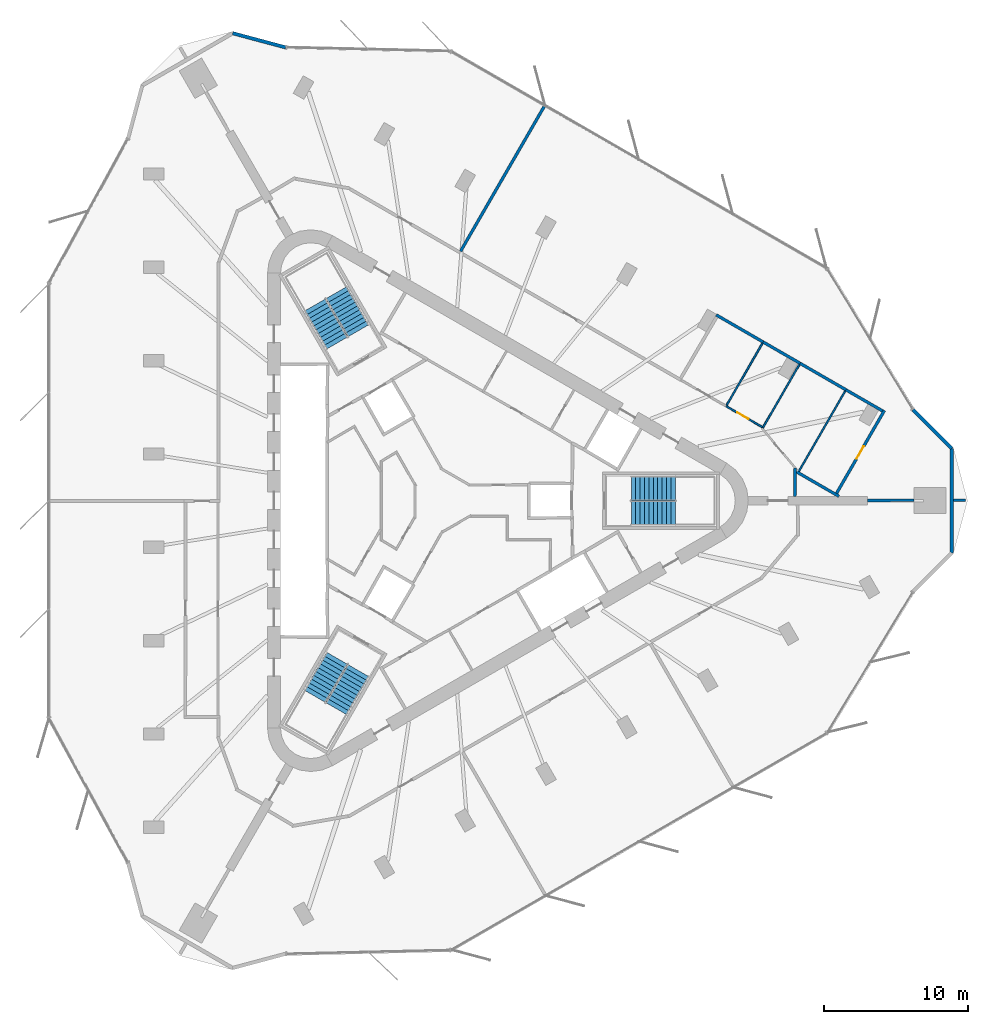
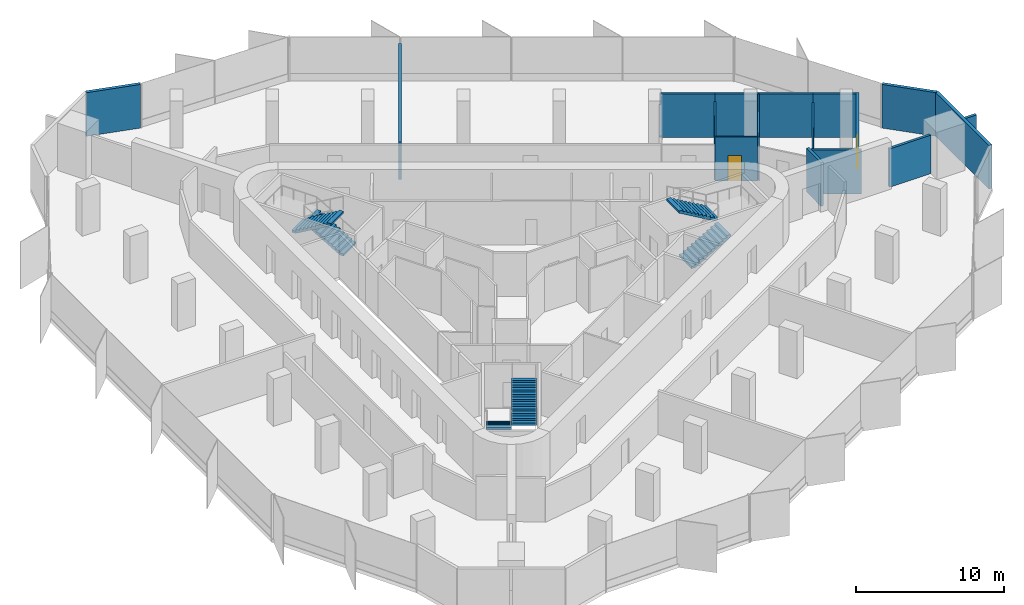
# One storey, part 11 of 12: 17 walls, 6 stair flights, 2 doors, 2 openings, 3 elements without a shape of their own.
"""IFC4 building model written with IfcOpenShell, lengths in metres."""

from ifc_helpers import new_model, si_unit, direction, frame, frame_2d, origin, place, context, subcontext, project, spatial, polyline, rectangle, outline, extrude, material, layer, layer_set, type_object, element, fill, aggregate, save


model = new_model("IFC4")

# Units and contexts
model_context = context("Model", 3, precision=1e-05, world=origin(), true_north=direction((0.0, 1.0)))
body_context = subcontext(model_context, "Body", "Model", "MODEL_VIEW")
ifc_project = project(units=[si_unit("LENGTHUNIT", "METRE"), si_unit("AREAUNIT", "SQUARE_METRE"), si_unit("VOLUMEUNIT", "CUBIC_METRE"), si_unit("PLANEANGLEUNIT", "RADIAN"), si_unit("MASSUNIT", "GRAM", prefix="KILO")], contexts=[model_context])

# Site, building, storey
site_placement = place(None, origin())
site = spatial("IfcSite", under=ifc_project, at=site_placement, CompositionType="ELEMENT")
building_placement = place(site_placement, origin())
building = spatial("IfcBuilding", under=site, at=building_placement, Name="Tanit Gate Tower", CompositionType="ELEMENT")
storey_placement = place(building_placement, frame((0.0, 0.0, 333.800048828125)))
storey = spatial("IfcBuildingStorey", under=building, at=storey_placement, Name="L75", CompositionType="ELEMENT", Elevation=333.800048828125)

# Walls
ifc_material_1 = material(Name="Concrete C30/37 with bronze anodised aluminium cladding", Category="concrete")
ifc_layer_1 = layer(ifc_material_1, 0.239990234375)
ifc_layer_set_1 = layer_set([ifc_layer_1], Name="Facade wall bronze clad 240")
wall_type_1 = type_object("IfcWallType", Name="Facade wall bronze clad 240", PredefinedType="SOLIDWALL", material=ifc_layer_set_1)
wall_1_placement = place(storey_placement, frame((-10.842529296875, 31.392578125, 0.0), z_axis=(0.0, 0.0, 1.0), x_axis=(-0.965919344782, 0.258843233206, 0.0)))
element("IfcWall", 1, at=wall_1_placement, inside=storey, type_object=wall_type_1, Name="Bronze-clad facade wall L75 NW.arc1", PredefinedType="SOLIDWALL", context=body_context, shape_type="SweptSolid", body=[
    extrude(rectangle(XDim=3.79638671875, YDim=0.239990234375, at=frame_2d((1.898193359375, 0.0))), origin(), (0.0, 0.0, 1.0), 3.599853515625),
])
wall_2_placement = place(storey_placement, frame((35.29248046875, -3.6220703125, 0.0), z_axis=(0.0, 0.0, 1.0), x_axis=(0.0, 1.0, 0.0)))
element("IfcWall", 2, at=wall_2_placement, inside=storey, type_object=wall_type_1, Name="Bronze-clad facade wall L75 E.arc2", PredefinedType="SOLIDWALL", context=body_context, shape_type="SweptSolid", body=[
    extrude(rectangle(XDim=7.244140625, YDim=0.239990234375, at=frame_2d((3.6220703125, 0.0))), origin(), (0.0, 0.0, 1.0), 3.599853515625),
])
wall_3_placement = place(storey_placement, frame((35.29248046875, 3.6220703125, 0.0), z_axis=(0.0, 0.0, 1.0), x_axis=(-0.707106781187, 0.707106781187, 0.0)))
element("IfcWall", 3, at=wall_3_placement, inside=storey, type_object=wall_type_1, Name="Bronze-clad facade wall L75 E.arc3", PredefinedType="SOLIDWALL", context=body_context, shape_type="SweptSolid", body=[
    extrude(rectangle(XDim=3.796142578125, YDim=0.239990234375, at=frame_2d((1.89794921875, 0.0))), origin(), (0.0, 0.0, 1.0), 3.599853515625),
])
ifc_material_2 = material(Name="Fire-rated gypsum board partition")
ifc_layer_2 = layer(ifc_material_2, 0.199951171875)
ifc_layer_set_2 = layer_set([ifc_layer_2], Name="INT-WALL-COMPARTMENT")
wall_type_2 = type_object("IfcWallType", Name="INT-WALL-COMPARTMENT", PredefinedType="PARTITIONING", material=ifc_layer_set_2)
wall_4_placement = place(storey_placement, frame((24.420654296875, 0.300048828125, 0.0), z_axis=(0.0, 0.0, 1.0), x_axis=(0.014331902383, 0.999897293013, 0.0)))
element("IfcWall", 4, at=wall_4_placement, inside=storey, type_object=wall_type_2, Name="Wall Compartment W098", PredefinedType="PARTITIONING", context=body_context, shape_type="SweptSolid", body=[
    extrude(rectangle(XDim=1.97607421875, YDim=0.199951171875, at=frame_2d((0.988037109375, 0.0))), origin(), (0.0, 0.0, 1.0), 3.599853515625),
])
wall_5_placement = place(storey_placement, frame((35.412353515625, 0.030029296875, 0.0), z_axis=(0.0, 0.0, 1.0), x_axis=(1.0, 0.0, 0.0)))
element("IfcWall", 5, at=wall_5_placement, inside=storey, type_object=wall_type_2, Name="Wall Compartment W116", PredefinedType="PARTITIONING", context=body_context, shape_type="SweptSolid", body=[
    extrude(rectangle(XDim=0.842529296875, YDim=0.199951171875, at=frame_2d((0.42138671875, 0.0))), origin(), (0.0, 0.0, 1.0), 3.599853515625),
])
wall_6_placement = place(storey_placement, frame((7.1044921875, 27.373291015625, 0.0), z_axis=(0.0, 0.0, 1.0), x_axis=(-0.500060220848, -0.86599063247, 0.0)))
element("IfcWall", 6, at=wall_6_placement, inside=storey, type_object=wall_type_2, Name="Wall Compartment W114", PredefinedType="PARTITIONING", context=body_context, shape_type="SweptSolid", body=[
    extrude(rectangle(XDim=11.658203125, YDim=0.199951171875, at=frame_2d((5.8291015625, 0.0))), origin(), (0.0, 0.0, 1.0), 3.070068359375),
])
wall_7_placement = place(storey_placement, frame((29.470703125, 0.01806640625, 0.0), z_axis=(0.0, 0.0, 1.0), x_axis=(0.999993083977, 0.003719139364, 0.0)))
element("IfcWall", 7, at=wall_7_placement, inside=storey, type_object=wall_type_2, Name="Wall Compartment W115", PredefinedType="PARTITIONING", context=body_context, shape_type="SweptSolid", body=[
    extrude(rectangle(XDim=3.216552734375, YDim=0.199951171875, at=frame_2d((1.6083984375, 0.0))), origin(), (0.0, 0.0, 1.0), 3.169921875),
])
wall_8_placement = place(storey_placement, frame((18.975341796875, 12.8662109375, 0.0), z_axis=(0.0, 0.0, 1.0), x_axis=(0.866007030292, -0.500031822473, 0.0)))
element("IfcWall", 8, at=wall_8_placement, inside=storey, type_object=wall_type_2, Name="Wall Compartment W117", PredefinedType="PARTITIONING", context=body_context, shape_type="SweptSolid", body=[
    extrude(rectangle(XDim=3.757080078125, YDim=0.199951171875, at=frame_2d((1.87841796875, 0.0))), origin(), (0.0, 0.0, 1.0), 3.599853515625),
])
wall_9_placement = place(storey_placement, frame((22.22900390625, 10.987548828125, 0.0), z_axis=(0.0, 0.0, 1.0), x_axis=(0.86604097052, -0.499973036653, 0.0)))
element("IfcWall", 9, at=wall_9_placement, inside=storey, type_object=wall_type_2, Name="Wall Compartment W119", PredefinedType="PARTITIONING", context=body_context, shape_type="SweptSolid", body=[
    extrude(rectangle(XDim=2.951904296875, YDim=0.199951171875, at=frame_2d((1.47607421875, 0.0))), origin(), (0.0, 0.0, 1.0), 3.599853515625),
])
wall_10_placement = place(storey_placement, frame((24.785400390625, 9.51171875, 0.0), z_axis=(0.0, 0.0, 1.0), x_axis=(0.866027105532, -0.499997052475, 0.0)))
element("IfcWall", 10, at=wall_10_placement, inside=storey, type_object=wall_type_2, Name="Wall Compartment W120", PredefinedType="PARTITIONING", context=body_context, shape_type="SweptSolid", body=[
    extrude(rectangle(XDim=3.66845703125, YDim=0.199951171875, at=frame_2d((1.834228515625, 0.0))), origin(), (0.0, 0.0, 1.0), 3.599853515625),
])
wall_11_placement = place(storey_placement, frame((27.96240234375, 7.677490234375, 0.0), z_axis=(0.0, 0.0, 1.0), x_axis=(0.866003347003, -0.50003820152, 0.0)))
element("IfcWall", 11, at=wall_11_placement, inside=storey, type_object=wall_type_2, Name="Wall Compartment W123", PredefinedType="PARTITIONING", context=body_context, shape_type="SweptSolid", body=[
    extrude(rectangle(XDim=2.922607421875, YDim=0.199951171875, at=frame_2d((1.46142578125, 0.0))), origin(), (0.0, 0.0, 1.0), 3.599853515625),
])
wall_12_placement = place(storey_placement, frame((24.544921875, 1.994873046875, 0.0), z_axis=(0.0, 0.0, 1.0), x_axis=(0.866027263711, -0.4999967785, 0.0)))
element("IfcWall", 12, at=wall_12_placement, inside=storey, type_object=wall_type_2, Name="Wall Compartment W121", PredefinedType="PARTITIONING", context=body_context, shape_type="SweptSolid", body=[
    extrude(rectangle(XDim=3.3896484375, YDim=0.199951171875, at=frame_2d((1.69482421875, 0.0))), origin(), (0.0, 0.0, 1.0), 3.599853515625),
])

# Wall, opening, door
wall_13_placement = place(storey_placement, frame((27.31494140625, 0.510986328125, 0.0), z_axis=(0.0, 0.0, 1.0), x_axis=(0.499996585558, 0.866027375104, 0.0)))
wall_13 = element("IfcWall", 13, at=wall_13_placement, inside=storey, type_object=wall_type_2, Name="Wall Compartment W122", PredefinedType="PARTITIONING", context=body_context, shape_type="SweptSolid", body=[
    extrude(rectangle(XDim=6.6298828125, YDim=0.199951171875, at=frame_2d((3.31494140625, 0.0))), origin(), (0.0, 0.0, 1.0), 3.599853515625),
])
opening_1_placement = place(wall_13_placement, frame((2.764892578125, 0.0, 0.0)))
opening_1 = element("IfcOpeningElement", 14, at=opening_1_placement, cuts=wall_13, Name="Opening F10-S21-25", PredefinedType="OPENING", context=body_context, shape_type="SweptSolid", body=[
    extrude(rectangle(XDim=1.0, YDim=2.10009765625, at=frame_2d((0.5, 1.050048828125))), frame((0.0, 0.10986328125, 0.0), z_axis=(0.0, -1.0, 0.0), x_axis=(1.0, 0.0, 0.0)), (0.0, 0.0, 1.0), 0.219970703125),
])
ifc_material_3 = material(Name="Fire-rated steel door leaf", Category="steel")
door_type_1 = type_object("IfcDoorType", Name="INT-DOOR-FIRE-1000", OperationType="NOTDEFINED", PredefinedType="USERDEFINED", material=ifc_material_3)
door_1_placement = place(opening_1_placement, origin())
door_1 = element("IfcDoor", 15, at=door_1_placement, inside=storey, type_object=door_type_1, Name="Door F10-S21-25", ObjectType="FIRE DOOR", OperationType="SINGLE_SWING_RIGHT", OverallHeight=2.10009765625, OverallWidth=1.0, PredefinedType="USERDEFINED", context=body_context, shape_type="SweptSolid", body=[
    extrude(rectangle(XDim=1.0, YDim=2.10009765625, at=frame_2d((0.5, 1.050048828125))), frame((0.0, 0.02490234375, 0.0), z_axis=(0.0, -1.0, 0.0), x_axis=(1.0, 0.0, 0.0)), (0.0, 0.0, 1.0), 0.050048828125),
])
fill(opening_1, door_1)

ifc_material_4 = material(Name="Gypsum board partition")
ifc_layer_3 = layer(ifc_material_4, 0.1201171875)
ifc_layer_set_3 = layer_set([ifc_layer_3], Name="INT-WALL-PARTITION")
wall_type_3 = type_object("IfcWallType", Name="INT-WALL-PARTITION", PredefinedType="PARTITIONING", material=ifc_layer_set_3)
wall_14_placement = place(storey_placement, frame((22.16845703125, 5.098876953125, 0.0), z_axis=(0.0, 0.0, 1.0), x_axis=(-0.866005628554, 0.500034250139, 0.0)))
wall_14 = element("IfcWall", 16, at=wall_14_placement, inside=storey, type_object=wall_type_3, Name="Wall Partition W100", PredefinedType="PARTITIONING", context=body_context, shape_type="SweptSolid", body=[
    extrude(rectangle(XDim=2.891845703125, YDim=0.1201171875, at=frame_2d((1.44580078125, 0.0))), origin(), (0.0, 0.0, 1.0), 3.599853515625),
])
opening_2_placement = place(wall_14_placement, frame((1.10009765625, 0.0, 0.0)))
opening_2 = element("IfcOpeningElement", 17, at=opening_2_placement, cuts=wall_14, Name="Opening D09-S21-23", PredefinedType="OPENING", context=body_context, shape_type="SweptSolid", body=[
    extrude(rectangle(XDim=0.89990234375, YDim=2.10009765625, at=frame_2d((0.449951171875, 1.050048828125))), frame((0.0, 0.070068359375, 0.0), z_axis=(0.0, -1.0, 0.0), x_axis=(1.0, 0.0, 0.0)), (0.0, 0.0, 1.0), 0.14013671875),
])
ifc_material_5 = material(Name="Timber door leaf", Category="wood")
door_type_2 = type_object("IfcDoorType", Name="INT-DOOR-SINGLE-900", OperationType="NOTDEFINED", PredefinedType="NOTDEFINED", material=ifc_material_5)
door_2_placement = place(opening_2_placement, origin())
door_2 = element("IfcDoor", 18, at=door_2_placement, inside=storey, type_object=door_type_2, Name="Door D09-S21-23", OperationType="SINGLE_SWING_RIGHT", OverallHeight=2.10009765625, OverallWidth=0.89990234375, PredefinedType="NOTDEFINED", context=body_context, shape_type="SweptSolid", body=[
    extrude(rectangle(XDim=0.89990234375, YDim=2.10009765625, at=frame_2d((0.449951171875, 1.050048828125))), frame((0.0, 0.02490234375, 0.0), z_axis=(0.0, -1.0, 0.0), x_axis=(1.0, 0.0, 0.0)), (0.0, 0.0, 1.0), 0.050048828125),
])
fill(opening_2, door_2)

# Walls
wall_15_placement = place(storey_placement, frame((19.694091796875, 6.5966796875, 0.0), z_axis=(0.0, 0.0, 1.0), x_axis=(0.499974753747, 0.866039979225, 0.0)))
element("IfcWall", 19, at=wall_15_placement, inside=storey, type_object=wall_type_3, Name="Wall Partition W126", PredefinedType="PARTITIONING", context=body_context, shape_type="SweptSolid", body=[
    extrude(rectangle(XDim=4.969970703125, YDim=0.1201171875, at=frame_2d((2.48486328125, 0.0))), origin(), (0.0, 0.0, 1.0), 2.969970703125),
])
wall_16_placement = place(storey_placement, frame((24.7353515625, 9.425048828125, 0.0), z_axis=(0.0, 0.0, 1.0), x_axis=(-0.500002065185, -0.866024211446, 0.0)))
element("IfcWall", 20, at=wall_16_placement, inside=storey, type_object=wall_type_3, Name="Wall Partition W127", PredefinedType="PARTITIONING", context=body_context, shape_type="SweptSolid", body=[
    extrude(rectangle(XDim=5.06396484375, YDim=0.1201171875, at=frame_2d((2.531982421875, 0.0))), origin(), (0.0, 0.0, 1.0), 3.599853515625),
])
wall_17_placement = place(storey_placement, frame((24.697265625, 2.022216796875, 0.0), z_axis=(0.0, 0.0, 1.0), x_axis=(0.500006199568, 0.866021824432, 0.0)))
element("IfcWall", 21, at=wall_17_placement, inside=storey, type_object=wall_type_3, Name="Wall Partition W128", PredefinedType="PARTITIONING", context=body_context, shape_type="SweptSolid", body=[
    extrude(rectangle(XDim=6.43017578125, YDim=0.1201171875, at=frame_2d((3.215087890625, 0.0))), origin(), (0.0, 0.0, 1.0), 2.8798828125),
])

# Stair, stair flights
ifc_material_6 = material(Name="Concrete C40/50", Category="concrete")
stair_type = type_object("IfcStairType", Name="INT-STAIR-EXIT", PredefinedType="HALF_TURN_STAIR", material=ifc_material_6)
stair_1_placement = place(storey_placement, origin())
stair_1 = element("IfcStair", 22, at=stair_1_placement, inside=storey, type_object=stair_type, Name="L75 STAIR S1", PredefinedType="HALF_TURN_STAIR")
ifc_material_7 = material(Name="Concrete C40/50", Category="concrete")
stair_flight_type = type_object("IfcStairFlightType", Name="INT-STAIR-FLIGHT", PredefinedType="STRAIGHT", material=ifc_material_7)
stair_flight_1_placement = place(storey_placement, frame((13.094970703125, -0.8525390625, 0.0), z_axis=(0.0, 0.0, 1.0), x_axis=(1.0, 0.0, 0.0)))
stair_flight_1 = element("IfcStairFlight", 23, at=stair_flight_1_placement, type_object=stair_flight_type, Name="S1 flight 1", NumberOfRisers=11, NumberOfTreads=10, PredefinedType="STRAIGHT", RiserHeight=0.177272727, TreadLength=0.3051, context=body_context, shape_type="SweptSolid", body=[
    extrude(outline(polyline([(0.0, 0.0), (0.0, 0.17724609375), (0.30517578125, 0.17724609375), (0.30517578125, 0.3544921875), (0.610107421875, 0.3544921875), (0.610107421875, 0.53173828125), (0.915283203125, 0.53173828125), (0.915283203125, 0.708984375), (1.220458984375, 0.708984375), (1.220458984375, 0.886474609375), (1.525390625, 0.886474609375), (1.525390625, 1.063720703125), (1.83056640625, 1.063720703125), (1.83056640625, 1.240966796875), (2.1357421875, 1.240966796875), (2.1357421875, 1.418212890625), (2.44091796875, 1.418212890625), (2.44091796875, 1.595458984375), (2.745849609375, 1.595458984375), (2.745849609375, 1.772705078125), (3.051025390625, 1.772705078125), (3.051025390625, 1.949951171875), (3.051025390625, 1.599365234375), (0.29833984375, 0.0), (0.0, 0.0)])), frame((0.0, 0.84765625, 0.0), z_axis=(0.0, -1.0, 0.0), x_axis=(1.0, 0.0, 0.0)), (0.0, 0.0, 1.0), 1.695068359375),
])
stair_flight_2_placement = place(storey_placement, frame((16.14599609375, 0.8525390625, 1.949951171875), z_axis=(0.0, 0.0, 1.0), x_axis=(-1.0, 0.0, 0.0)))
stair_flight_2 = element("IfcStairFlight", 24, at=stair_flight_2_placement, type_object=stair_flight_type, Name="S1 flight 2", NumberOfRisers=11, NumberOfTreads=10, PredefinedType="STRAIGHT", RiserHeight=0.177272727, TreadLength=0.3051, context=body_context, shape_type="SweptSolid", body=[
    extrude(outline(polyline([(0.0, 0.0), (0.0, 0.17724609375), (0.30517578125, 0.17724609375), (0.30517578125, 0.3544921875), (0.610107421875, 0.3544921875), (0.610107421875, 0.53173828125), (0.915283203125, 0.53173828125), (0.915283203125, 0.708984375), (1.220458984375, 0.708984375), (1.220458984375, 0.886474609375), (1.525390625, 0.886474609375), (1.525390625, 1.063720703125), (1.83056640625, 1.063720703125), (1.83056640625, 1.240966796875), (2.1357421875, 1.240966796875), (2.1357421875, 1.418212890625), (2.44091796875, 1.418212890625), (2.44091796875, 1.595458984375), (2.745849609375, 1.595458984375), (2.745849609375, 1.772705078125), (3.051025390625, 1.772705078125), (3.051025390625, 1.949951171875), (3.051025390625, 1.599365234375), (0.29833984375, 0.0), (0.0, 0.0)])), frame((0.0, 0.84765625, 0.0), z_axis=(0.0, -1.0, 0.0), x_axis=(1.0, 0.0, 0.0)), (0.0, 0.0, 1.0), 1.695068359375),
])
aggregate(stair_1, [stair_flight_1, stair_flight_2])

stair_2_placement = place(storey_placement, origin())
stair_2 = element("IfcStair", 25, at=stair_2_placement, inside=storey, type_object=stair_type, Name="L75 STAIR S2", PredefinedType="HALF_TURN_STAIR")
stair_flight_3_placement = place(storey_placement, frame((-5.808349609375, 11.766357421875, 0.0), z_axis=(0.0, 0.0, 1.0), x_axis=(-0.5, 0.866025403784, 0.0)))
stair_flight_3 = element("IfcStairFlight", 26, at=stair_flight_3_placement, type_object=stair_flight_type, Name="S2 flight 1", NumberOfRisers=11, NumberOfTreads=10, PredefinedType="STRAIGHT", RiserHeight=0.177272727, TreadLength=0.30492, context=body_context, shape_type="SweptSolid", body=[
    extrude(outline(polyline([(0.0, 0.0), (0.0, 0.17724609375), (0.304931640625, 0.17724609375), (0.304931640625, 0.3544921875), (0.60986328125, 0.3544921875), (0.60986328125, 0.53173828125), (0.914794921875, 0.53173828125), (0.914794921875, 0.708984375), (1.2197265625, 0.708984375), (1.2197265625, 0.886474609375), (1.524658203125, 0.886474609375), (1.524658203125, 1.063720703125), (1.82958984375, 1.063720703125), (1.82958984375, 1.240966796875), (2.134521484375, 1.240966796875), (2.134521484375, 1.418212890625), (2.439453125, 1.418212890625), (2.439453125, 1.595458984375), (2.744384765625, 1.595458984375), (2.744384765625, 1.772705078125), (3.04931640625, 1.772705078125), (3.04931640625, 1.949951171875), (3.04931640625, 1.599365234375), (0.29833984375, 0.0), (0.0, 0.0)])), frame((0.0, 0.84716796875, 0.0), z_axis=(0.0, -1.0, 0.0), x_axis=(1.0, 0.0, 0.0)), (0.0, 0.0, 1.0), 1.694091796875),
])
stair_flight_4_placement = place(storey_placement, frame((-8.810302734375, 13.553955078125, 1.949951171875), z_axis=(0.0, 0.0, 1.0), x_axis=(0.5, -0.866025403784, 0.0)))
stair_flight_4 = element("IfcStairFlight", 27, at=stair_flight_4_placement, type_object=stair_flight_type, Name="S2 flight 2", NumberOfRisers=11, NumberOfTreads=10, PredefinedType="STRAIGHT", RiserHeight=0.177272727, TreadLength=0.30492, context=body_context, shape_type="SweptSolid", body=[
    extrude(outline(polyline([(0.0, 0.0), (0.0, 0.17724609375), (0.304931640625, 0.17724609375), (0.304931640625, 0.3544921875), (0.60986328125, 0.3544921875), (0.60986328125, 0.53173828125), (0.914794921875, 0.53173828125), (0.914794921875, 0.708984375), (1.2197265625, 0.708984375), (1.2197265625, 0.886474609375), (1.524658203125, 0.886474609375), (1.524658203125, 1.063720703125), (1.82958984375, 1.063720703125), (1.82958984375, 1.240966796875), (2.134521484375, 1.240966796875), (2.134521484375, 1.418212890625), (2.439453125, 1.418212890625), (2.439453125, 1.595458984375), (2.744384765625, 1.595458984375), (2.744384765625, 1.772705078125), (3.04931640625, 1.772705078125), (3.04931640625, 1.949951171875), (3.04931640625, 1.599365234375), (0.29833984375, 0.0), (0.0, 0.0)])), frame((0.0, 0.84716796875, 0.0), z_axis=(0.0, -1.0, 0.0), x_axis=(1.0, 0.0, 0.0)), (0.0, 0.0, 1.0), 1.694091796875),
])
aggregate(stair_2, [stair_flight_3, stair_flight_4])

stair_3_placement = place(storey_placement, origin())
stair_3 = element("IfcStair", 28, at=stair_3_placement, inside=storey, type_object=stair_type, Name="L75 STAIR S3", PredefinedType="HALF_TURN_STAIR")
stair_flight_5_placement = place(storey_placement, frame((-7.285888671875, -10.914306640625, 0.0), z_axis=(0.0, 0.0, 1.0), x_axis=(-0.5, -0.866025403784, 0.0)))
stair_flight_5 = element("IfcStairFlight", 29, at=stair_flight_5_placement, type_object=stair_flight_type, Name="S3 flight 1", NumberOfRisers=11, NumberOfTreads=10, PredefinedType="STRAIGHT", RiserHeight=0.177272727, TreadLength=0.3051, context=body_context, shape_type="SweptSolid", body=[
    extrude(outline(polyline([(0.0, 0.0), (0.0, 0.17724609375), (0.30517578125, 0.17724609375), (0.30517578125, 0.3544921875), (0.610107421875, 0.3544921875), (0.610107421875, 0.53173828125), (0.915283203125, 0.53173828125), (0.915283203125, 0.708984375), (1.220458984375, 0.708984375), (1.220458984375, 0.886474609375), (1.525390625, 0.886474609375), (1.525390625, 1.063720703125), (1.83056640625, 1.063720703125), (1.83056640625, 1.240966796875), (2.1357421875, 1.240966796875), (2.1357421875, 1.418212890625), (2.44091796875, 1.418212890625), (2.44091796875, 1.595458984375), (2.745849609375, 1.595458984375), (2.745849609375, 1.772705078125), (3.051025390625, 1.772705078125), (3.051025390625, 1.949951171875), (3.051025390625, 1.599365234375), (0.29833984375, 0.0), (0.0, 0.0)])), frame((0.0, 0.84765625, 0.0), z_axis=(0.0, -1.0, 0.0), x_axis=(1.0, 0.0, 0.0)), (0.0, 0.0, 1.0), 1.695068359375),
])
stair_flight_6_placement = place(storey_placement, frame((-7.334716796875, -14.4091796875, 1.949951171875), z_axis=(0.0, 0.0, 1.0), x_axis=(0.5, 0.866025403784, 0.0)))
stair_flight_6 = element("IfcStairFlight", 30, at=stair_flight_6_placement, type_object=stair_flight_type, Name="S3 flight 2", NumberOfRisers=11, NumberOfTreads=10, PredefinedType="STRAIGHT", RiserHeight=0.177272727, TreadLength=0.3051, context=body_context, shape_type="SweptSolid", body=[
    extrude(outline(polyline([(0.0, 0.0), (0.0, 0.17724609375), (0.30517578125, 0.17724609375), (0.30517578125, 0.3544921875), (0.610107421875, 0.3544921875), (0.610107421875, 0.53173828125), (0.915283203125, 0.53173828125), (0.915283203125, 0.708984375), (1.220458984375, 0.708984375), (1.220458984375, 0.886474609375), (1.525390625, 0.886474609375), (1.525390625, 1.063720703125), (1.83056640625, 1.063720703125), (1.83056640625, 1.240966796875), (2.1357421875, 1.240966796875), (2.1357421875, 1.418212890625), (2.44091796875, 1.418212890625), (2.44091796875, 1.595458984375), (2.745849609375, 1.595458984375), (2.745849609375, 1.772705078125), (3.051025390625, 1.772705078125), (3.051025390625, 1.949951171875), (3.051025390625, 1.599365234375), (0.29833984375, 0.0), (0.0, 0.0)])), frame((0.0, 0.84765625, 0.0), z_axis=(0.0, -1.0, 0.0), x_axis=(1.0, 0.0, 0.0)), (0.0, 0.0, 1.0), 1.695068359375),
])
aggregate(stair_3, [stair_flight_5, stair_flight_6])

save(model, "model.ifc")
